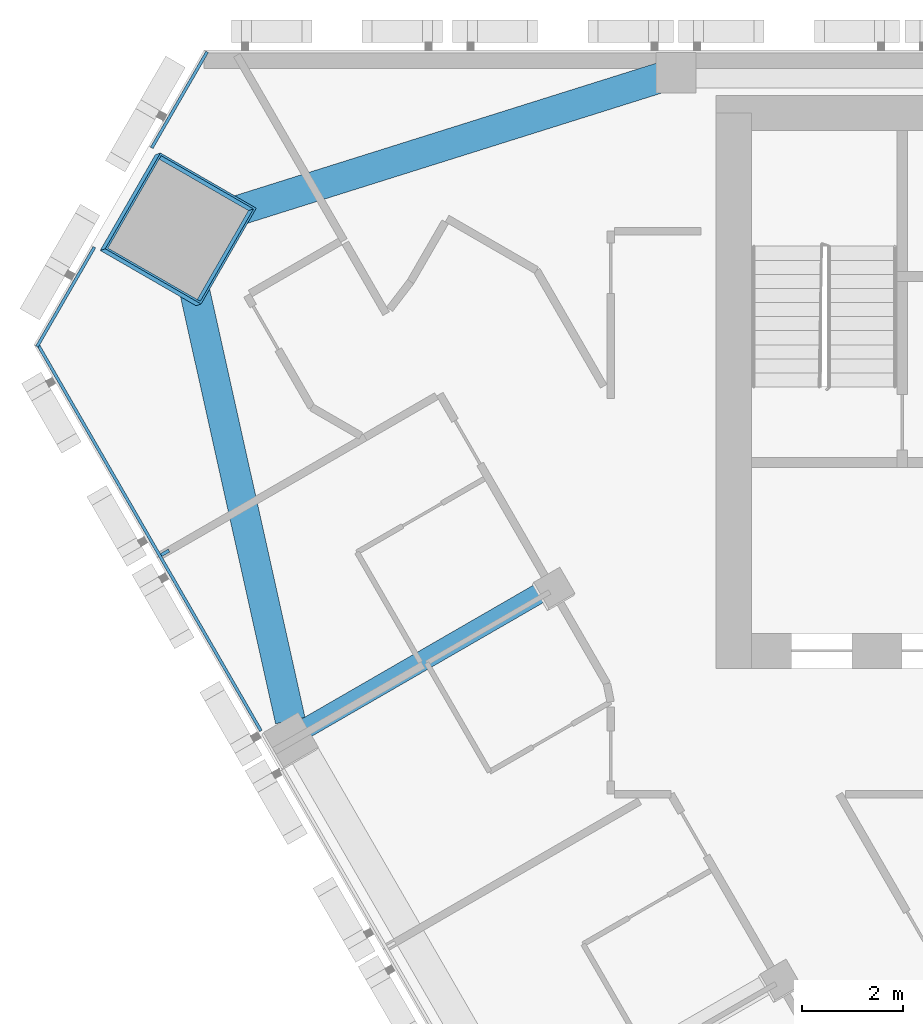
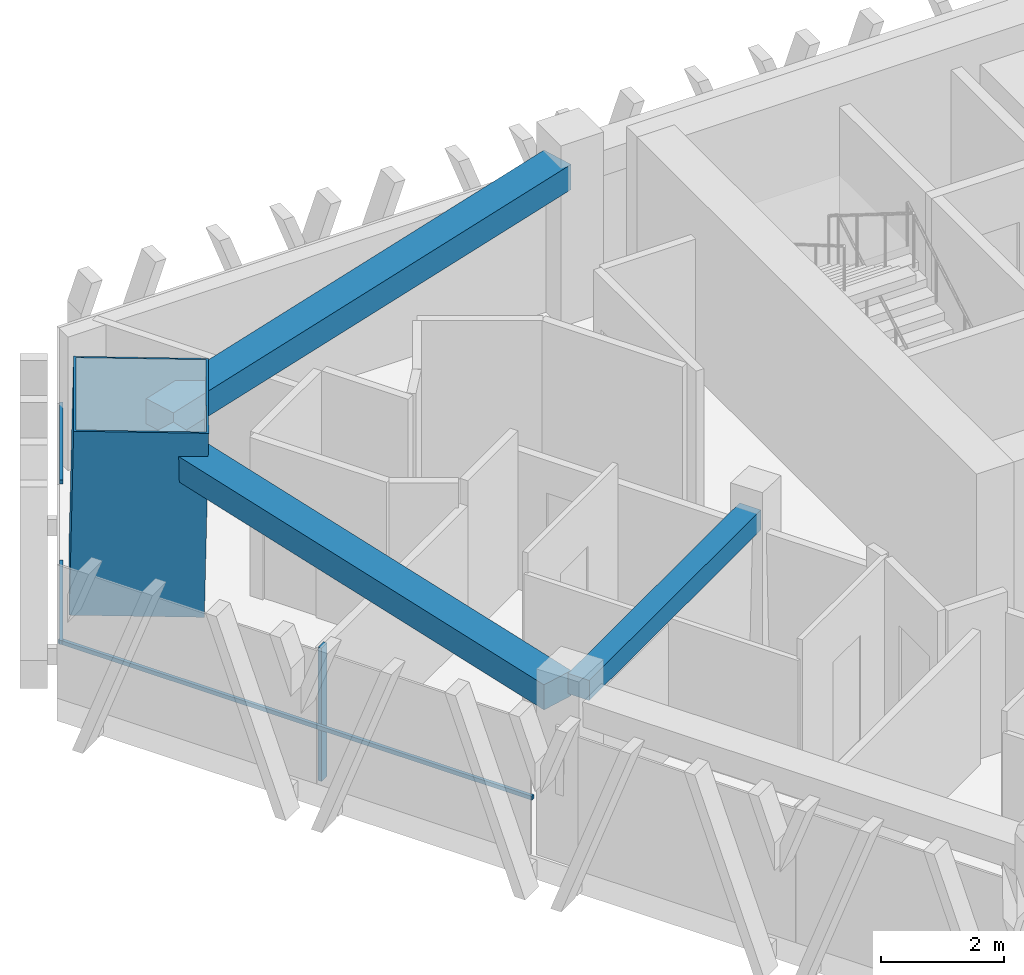
# One storey, part 5 of 16: 5 members, 3 beams, 2 elements without a shape of their own.
"""IFC4 building model written with IfcOpenShell, lengths in metres."""

import ifcopenshell
import ifcopenshell.guid

model = None  # the IFC model being written
_history = None  # IfcOwnerHistory: only IFC2X3 demands one
_inside = {}  # id of a spatial element -> (the spatial element, [elements in it])
_under = {}  # id of a project, library or spatial element -> (it, [spatial elements below it])
_declared = {}  # id of a project -> (the project, [libraries it declares])
_typed = {}  # id of a type object -> (the type object, [elements of that type])
_made_of = {}  # id of a material, layer set ... -> (it, [elements and type objects made of it])


def new_model(schema):
    """Start an empty IFC model of exactly this schema.

    Asked for "IFC4X3", IfcOpenShell would pick the latest addendum, in which some entities
    have other attributes; the version numbers below select the first issue.
    IFC2X3 requires an IfcOwnerHistory on every rooted entity: one is made here for all.
    """
    global model, _history
    if schema == "IFC4X3":
        model = ifcopenshell.file(schema_version=(4, 3, 0, 0))
    else:
        model = ifcopenshell.file(schema=schema)
    _inside.clear()
    _under.clear()
    _declared.clear()
    _typed.clear()
    _made_of.clear()
    _history = None
    if model.schema == "IFC2X3":
        org = make("IfcOrganization", Name="unknown")
        user = make(
            "IfcPersonAndOrganization",
            ThePerson=make("IfcPerson", FamilyName="unknown"),
            TheOrganization=org,
        )
        app = make(
            "IfcApplication",
            ApplicationDeveloper=org,
            Version="unknown",
            ApplicationFullName="unknown",
            ApplicationIdentifier="unknown",
        )
        _history = make(
            "IfcOwnerHistory",
            OwningUser=user,
            OwningApplication=app,
            ChangeAction="ADDED",
            CreationDate=0,
        )
    return model


def make(cls, **values):
    """One entity of the class cls with the attributes given. An attribute that is None is left unset."""
    return model.create_entity(
        cls, **{name: value for name, value in values.items() if value is not None}
    )


def rooted(cls, **values):
    """An entity with a GlobalId (a new one), such as an element, a storey or a relation."""
    return make(cls, GlobalId=ifcopenshell.guid.new(), OwnerHistory=_history, **values)


def si_unit(unit_type, name, prefix=None):
    """IfcSIUnit, for example si_unit("LENGTHUNIT", "METRE", prefix="MILLI")."""
    return make("IfcSIUnit", UnitType=unit_type, Prefix=prefix, Name=name)


def assignment(units):
    """IfcUnitAssignment: the units of a project."""
    return None if units is None else make("IfcUnitAssignment", Units=units)


def point(xyz):
    """IfcCartesianPoint."""
    return None if xyz is None else make("IfcCartesianPoint", Coordinates=xyz)


def direction(xyz):
    """IfcDirection."""
    return None if xyz is None else make("IfcDirection", DirectionRatios=xyz)


def frame(location, z_axis=None, x_axis=None):
    """IfcAxis2Placement3D, a coordinate frame: its origin and axes. An axis left out is left unset."""
    return make(
        "IfcAxis2Placement3D",
        Location=point(location),
        Axis=direction(z_axis),
        RefDirection=direction(x_axis),
    )


def frame_2d(location, x_axis=None):
    """IfcAxis2Placement2D, a coordinate frame in the plane: its origin and x axis."""
    return make(
        "IfcAxis2Placement2D", Location=point(location), RefDirection=direction(x_axis)
    )


def origin():
    """The frame at (0, 0, 0) with its axes left unset."""
    return frame((0.0, 0.0, 0.0))


def origin_2d():
    """The frame at (0, 0) in the plane with its x axis left unset."""
    return frame_2d((0.0, 0.0))


def place(relative_to, where):
    """IfcLocalPlacement: puts the frame where relative to a parent placement (None: the world)."""
    return make(
        "IfcLocalPlacement", PlacementRelTo=relative_to, RelativePlacement=where
    )


def context(
    kind, dimensions, precision=None, world=None, true_north=None, identifier=None
):
    """IfcGeometricRepresentationContext, for example the 3D "Model" context."""
    return make(
        "IfcGeometricRepresentationContext",
        ContextIdentifier=identifier,
        ContextType=kind,
        CoordinateSpaceDimension=dimensions,
        Precision=precision,
        WorldCoordinateSystem=world,
        TrueNorth=true_north,
    )


def subcontext(parent, identifier, kind, view, scale=None):
    """IfcGeometricRepresentationSubContext, for example "Body" below "Model"."""
    return make(
        "IfcGeometricRepresentationSubContext",
        ContextIdentifier=identifier,
        ContextType=kind,
        ParentContext=parent,
        TargetScale=scale,
        TargetView=view,
    )


def project(units=None, contexts=None):
    """IfcProject with its units and contexts."""
    return rooted(
        "IfcProject",
        Name="project",
        RepresentationContexts=contexts,
        UnitsInContext=assignment(units),
    )


def spatial(cls, under=None, at=None, **own):
    """A site, building, storey or space (cls), placed at a placement, below another one or the project."""
    s = rooted(cls, ObjectPlacement=at, **own)
    if under is not None:
        _under.setdefault(under.id(), (under, []))[1].append(s)
    return s


def profile(cls, at=None, kind="AREA", **sizes):
    """A parametric profile (cls). Its sizes go by their IFC names, for example OverallWidth=200.0."""
    return make(cls, ProfileType=kind, Position=at, **sizes)


def rectangle(**sizes):
    """IfcRectangleProfileDef."""
    return profile("IfcRectangleProfileDef", **sizes)


def hollow_rectangle(**sizes):
    """IfcRectangleHollowProfileDef."""
    return profile("IfcRectangleHollowProfileDef", **sizes)


def extrude(swept, where, along, depth):
    """IfcExtrudedAreaSolid: the profile swept, set in the frame where, extruded along a direction by depth."""
    return make(
        "IfcExtrudedAreaSolid",
        SweptArea=swept,
        Position=where,
        ExtrudedDirection=direction(along),
        Depth=depth,
    )


def shape(context_of_items, identifier, shape_type, items):
    """IfcShapeRepresentation: the items that make up one representation, for example the "Body"."""
    return make(
        "IfcShapeRepresentation",
        ContextOfItems=context_of_items,
        RepresentationIdentifier=identifier,
        RepresentationType=shape_type,
        Items=items,
    )


def material(Name=None, Category=None):
    """IfcMaterial."""
    return make("IfcMaterial", Name=Name, Category=Category)


def layer(
    of_material, thickness, ventilated=None, Name=None, Category=None, Priority=None
):
    """IfcMaterialLayer: one layer of a wall or slab, of a material (None: an air gap)."""
    return make(
        "IfcMaterialLayer",
        Material=of_material,
        LayerThickness=thickness,
        IsVentilated=ventilated,
        Name=Name,
        Category=Category,
        Priority=Priority,
    )


def layer_set(layers, Name=None):
    """IfcMaterialLayerSet."""
    return make("IfcMaterialLayerSet", MaterialLayers=layers, LayerSetName=Name)


def material_profile(
    of_material, cross_section, Name=None, Category=None, Priority=None
):
    """IfcMaterialProfile: a cross section and its material."""
    return make(
        "IfcMaterialProfile",
        Name=Name,
        Material=of_material,
        Profile=cross_section,
        Priority=Priority,
        Category=Category,
    )


def profile_set(profiles, Name=None, composite=None):
    """IfcMaterialProfileSet."""
    return make(
        "IfcMaterialProfileSet",
        Name=Name,
        MaterialProfiles=profiles,
        CompositeProfile=composite,
    )


def made_of(thing, what):
    """Note that an element or type object is made of a material, layer set ...; save() writes the relation."""
    if what is not None:
        _made_of.setdefault(what.id(), (what, []))[1].append(thing)
    return thing


def type_object(cls, material=None, **own):
    """A type object (cls), such as IfcWallType, which elements share."""
    return made_of(rooted(cls, **own), material)


def element(
    cls,
    number,
    at=None,
    inside=None,
    cuts=None,
    type_object=None,
    material=None,
    context=None,
    identifier="Body",
    shape_type=None,
    held_by="IfcProductDefinitionShape",
    body=None,
    shapes=None,
    **own,
):
    """One element of the class cls, such as IfcWall. Its Tag is "e" and its number.

    at: its placement. inside: the storey or other place that contains it. cuts: it is an
    opening in that element (IfcRelVoidsElement). A single representation is given by context,
    identifier, shape_type and body (its items); several are given by shapes. held_by: the class
    of the entity that holds the representations. save() writes the other relations.
    """
    e = rooted(cls, Tag="e%d" % number, ObjectPlacement=at, **own)
    if body is not None:
        shapes = [shape(context, identifier, shape_type, body)]
    if shapes is not None:
        e.Representation = make(held_by, Representations=shapes)
    if inside is not None:
        _inside.setdefault(inside.id(), (inside, []))[1].append(e)
    if cuts is not None:
        rooted(
            "IfcRelVoidsElement", RelatingBuildingElement=cuts, RelatedOpeningElement=e
        )
    if type_object is not None:
        _typed.setdefault(type_object.id(), (type_object, []))[1].append(e)
    return made_of(e, material)


def aggregate(whole, parts):
    """IfcRelAggregates: a whole, such as a stair, and the parts it consists of."""
    return rooted("IfcRelAggregates", RelatingObject=whole, RelatedObjects=parts)


def save(model, path):
    """Write the relations noted so far, then the file.

    IfcRelAggregates (storeys below a building ...), IfcRelContainedInSpatialStructure (elements
    in a storey), IfcRelDefinesByType, IfcRelAssociatesMaterial and IfcRelDeclares: one each for
    every whole, place, type object, material and project.
    """
    for whole, parts in _under.values():
        aggregate(whole, parts)
    for where, things in _inside.values():
        rooted(
            "IfcRelContainedInSpatialStructure",
            RelatedElements=things,
            RelatingStructure=where,
        )
    for kind, things in _typed.values():
        rooted("IfcRelDefinesByType", RelatedObjects=things, RelatingType=kind)
    for what, things in _made_of.values():
        rooted("IfcRelAssociatesMaterial", RelatedObjects=things, RelatingMaterial=what)
    for by, libraries in _declared.values():
        rooted("IfcRelDeclares", RelatingContext=by, RelatedDefinitions=libraries)
    model.write(path)


model = new_model("IFC4")

# Units and contexts
model_context = context("Model", 3, precision=1e-05, world=origin(), true_north=direction((0.0, 1.0)))
body_context = subcontext(model_context, "Body", "Model", "MODEL_VIEW")
ifc_project = project(units=[si_unit("LENGTHUNIT", "METRE"), si_unit("AREAUNIT", "SQUARE_METRE"), si_unit("VOLUMEUNIT", "CUBIC_METRE"), si_unit("PLANEANGLEUNIT", "RADIAN"), si_unit("MASSUNIT", "GRAM", prefix="KILO")], contexts=[model_context])

# Site, building, storey
site_placement = place(None, origin())
site = spatial("IfcSite", under=ifc_project, at=site_placement, CompositionType="ELEMENT")
building_placement = place(site_placement, origin())
building = spatial("IfcBuilding", under=site, at=building_placement, Name="Altiplano Prism Tower", CompositionType="ELEMENT")
storey_placement = place(building_placement, frame((0.0, 0.0, 178.199951171875)))
storey = spatial("IfcBuildingStorey", under=building, at=storey_placement, Name="L46", CompositionType="ELEMENT", Elevation=178.199951171875)

# Curtain wall, member
ifc_material_1 = material(Name="Aluminium and glass", Category="aluminium")
ifc_layer = layer(ifc_material_1, 0.280029296875)
ifc_layer_set = layer_set([ifc_layer], Name="Aluminium and glass")
curtain_wall_type = type_object("IfcCurtainWallType", Name="CW1 typical co-living unitised curtain wall", PredefinedType="NOTDEFINED", material=ifc_layer_set)
curtain_wall_1_placement = place(storey_placement, origin())
curtain_wall_1 = element("IfcCurtainWall", 1, at=curtain_wall_1_placement, inside=storey, type_object=curtain_wall_type, Name="CW1 curtain wall south-west face L46", PredefinedType="NOTDEFINED")
ifc_material_2 = material(Name="Aluminium", Category="aluminium")
ifc_material_profile_1 = material_profile(ifc_material_2, rectangle(XDim=0.179931640625, YDim=0.06494140625, at=origin_2d()), Name="CW1 mullion 65 x 180")
ifc_profile_set_1 = profile_set([ifc_material_profile_1], Name="Aluminium")
member_type_1 = type_object("IfcMemberType", Name="CW1 mullion 65 x 180", PredefinedType="MULLION", material=ifc_profile_set_1)
member_1_placement = place(storey_placement, frame((61.337646484375, 95.00244140625, 0.0), z_axis=(0.0, 0.0, 1.0), x_axis=(0.866025406097, 0.499999995995, 0.0)))
member_1 = element("IfcMember", 2, at=member_1_placement, type_object=member_type_1, Name="CW1 mullion", PredefinedType="MULLION", context=body_context, shape_type="SweptSolid", body=[
    extrude(rectangle(XDim=0.179931640625, YDim=0.06494140625, at=origin_2d()), origin(), (0.0, 0.0, 1.0), 2.650146484375),
])

# Curtain wall, members
curtain_wall_2_placement = place(storey_placement, origin())
curtain_wall_2 = element("IfcCurtainWall", 3, at=curtain_wall_2_placement, inside=storey, type_object=curtain_wall_type, Name="CW1 curtain wall north-west chamfer L46", PredefinedType="NOTDEFINED")
ifc_material_profile_2 = material_profile(ifc_material_2, rectangle(XDim=0.06005859375, YDim=0.080078125, at=origin_2d()), Name="CW1 transom 80 x 60")
ifc_profile_set_2 = profile_set([ifc_material_profile_2], Name="Aluminium")
member_type_2 = type_object("IfcMemberType", Name="CW1 transom 80 x 60", PredefinedType="USERDEFINED", material=ifc_profile_set_2)
member_2_placement = place(storey_placement, frame((62.173828125, 104.965087890625, 1.10009765625), z_axis=(-0.499987781028, -0.866032458297, 0.0), x_axis=(0.866032458297, -0.499987781028, 0.0)))
member_2 = element("IfcMember", 4, at=member_2_placement, type_object=member_type_2, Name="CW1 transom", ObjectType="TRANSOM", PredefinedType="USERDEFINED", context=body_context, shape_type="SweptSolid", body=[
    extrude(rectangle(XDim=0.06005859375, YDim=0.080078125, at=origin_2d()), origin(), (0.0, 0.0, 1.0), 2.20361328125),
])
member_3_placement = place(storey_placement, frame((59.93212890625, 101.08203125, 1.10009765625), z_axis=(-0.500037110984, -0.866003976688, 0.0), x_axis=(0.866003976688, -0.500037110984, 0.0)))
member_3 = element("IfcMember", 5, at=member_3_placement, type_object=member_type_2, Name="CW1 transom", ObjectType="TRANSOM", PredefinedType="USERDEFINED", context=body_context, shape_type="SweptSolid", body=[
    extrude(rectangle(XDim=0.06005859375, YDim=0.080078125, at=origin_2d()), origin(), (0.0, 0.0, 1.0), 2.283447265625),
])
aggregate(curtain_wall_2, [member_2, member_3])

# Member
member_4_placement = place(storey_placement, frame((58.790283203125, 99.17431640625, 1.10009765625), z_axis=(0.500000840671, -0.866024918422, 0.0), x_axis=(0.866024918422, 0.500000840671, 0.0)))
member_4 = element("IfcMember", 6, at=member_4_placement, type_object=member_type_2, Name="CW1 transom", ObjectType="TRANSOM", PredefinedType="USERDEFINED", context=body_context, shape_type="SweptSolid", body=[
    extrude(rectangle(XDim=0.06005859375, YDim=0.080078125, at=origin_2d()), origin(), (0.0, 0.0, 1.0), 8.9072265625),
])

aggregate(curtain_wall_1, [member_1, member_4])

# Beams
ifc_material_3 = material(Name="Concrete C60/75", Category="concrete")
ifc_material_profile_3 = material_profile(ifc_material_3, rectangle(XDim=0.60009765625, YDim=0.5, at=origin_2d()), Name="Edge beam 600x500")
ifc_profile_set_3 = profile_set([ifc_material_profile_3], Name="Concrete C60/75")
beam_type_1 = type_object("IfcBeamType", Name="Edge beam 600x500", PredefinedType="SPANDREL", material=ifc_profile_set_3)
for number, where, z_axis, x_axis, name in (
    (7, (71.21435546875, 104.460205078125, 2.900146484375), (-0.953959125115, -0.299936639327, 0.0), (0.299936639327, -0.953959125115, 0.0), "Edge beam P04-M0 L47"),
    (8, (61.747314453125, 101.013671875, 2.900146484375), (0.217235476989, -0.976119228136, 0.0), (0.976119228136, 0.217235476989, 0.0), "Edge beam M0-P11 L47"),
):
    element("IfcBeam", number, at=place(storey_placement, frame(where, z_axis=z_axis, x_axis=x_axis)), inside=storey, type_object=beam_type_1, Name=name, PredefinedType="SPANDREL", context=body_context, shape_type="SweptSolid", body=[
        extrude(rectangle(XDim=0.60009765625, YDim=0.5, at=origin_2d()), origin(), (0.0, 0.0, 1.0), 9.576416015625),
    ])

# Member
ifc_material_4 = material(Name="Steel S460", Category="steel")
ifc_material_profile_4 = material_profile(ifc_material_4, hollow_rectangle(XDim=2.199951171875, YDim=2.199951171875, WallThickness=0.0400390625, at=origin_2d()), Name="Mega column tube 2200")
ifc_profile_set_4 = profile_set([ifc_material_profile_4], Name="Steel S460")
member_type_3 = type_object("IfcMemberType", Name="Mega column tube 2200", PredefinedType="POST", material=ifc_profile_set_4)
member_5_placement = place(storey_placement, frame((61.54736328125, 101.419677734375, 0.0), z_axis=(0.028401796786, 0.009286506348, 0.999553449666), x_axis=(-0.866206321778, 0.499287135176, 0.019974102218)))
element("IfcMember", 9, at=member_5_placement, inside=storey, type_object=member_type_3, Name="Mega column tube M0 L46", PredefinedType="POST", context=body_context, shape_type="SweptSolid", body=[
    extrude(hollow_rectangle(XDim=2.199951171875, YDim=2.199951171875, WallThickness=0.0400390625, at=origin_2d()), origin(), (0.0, 0.0, 1.0), 3.601806640625),
])

# Beam
ifc_material_profile_5 = material_profile(ifc_material_3, rectangle(XDim=0.39990234375, YDim=0.39990234375, at=origin_2d()), Name="Tie beam 400x400")
ifc_profile_set_5 = profile_set([ifc_material_profile_5], Name="Concrete C60/75")
beam_type_2 = type_object("IfcBeamType", Name="Tie beam 400x400", PredefinedType="BEAM", material=ifc_profile_set_5)
beam_placement = place(storey_placement, frame((68.976318359375, 94.308837890625, 2.949951171875), z_axis=(-0.866030670444, -0.499990877767, 0.0), x_axis=(0.499990877767, -0.866030670444, 0.0)))
element("IfcBeam", 10, at=beam_placement, inside=storey, type_object=beam_type_2, Name="Tie beam I11 L47", PredefinedType="BEAM", context=body_context, shape_type="SweptSolid", body=[
    extrude(rectangle(XDim=0.39990234375, YDim=0.39990234375, at=origin_2d()), origin(), (0.0, 0.0, 1.0), 5.58984375),
])

save(model, "model.ifc")
